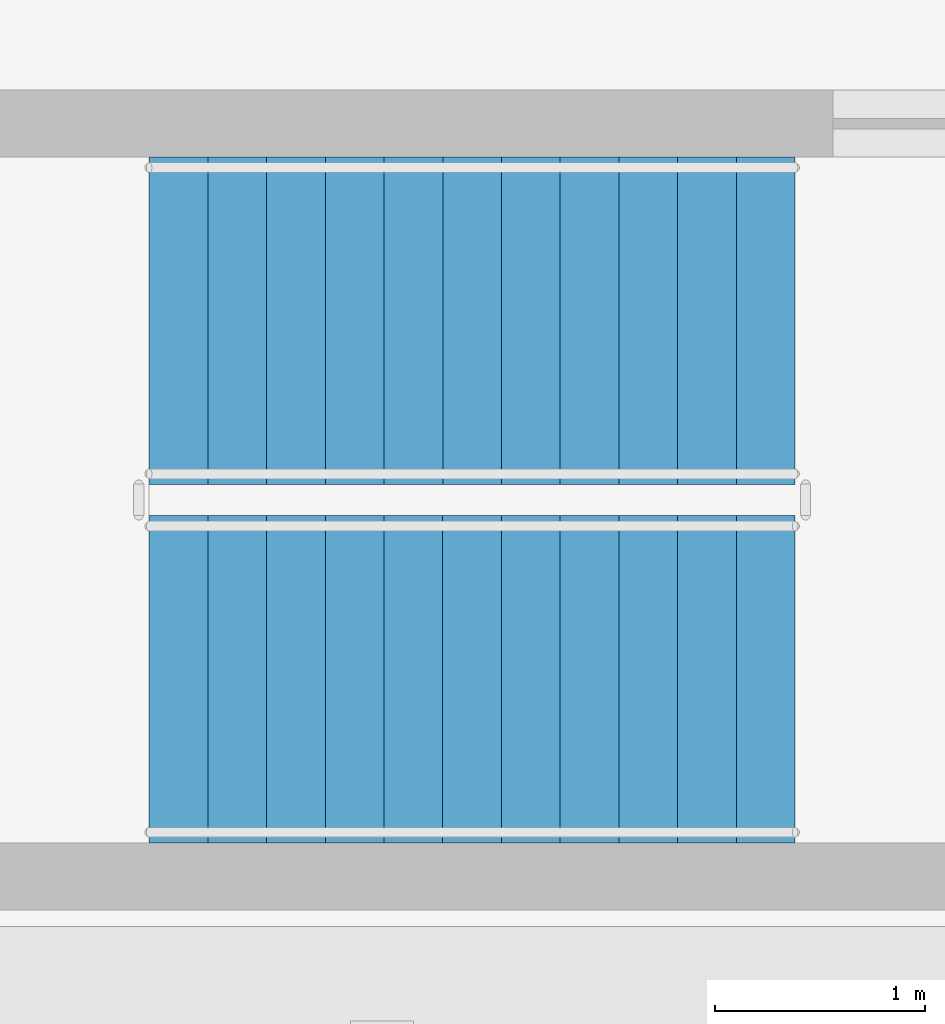
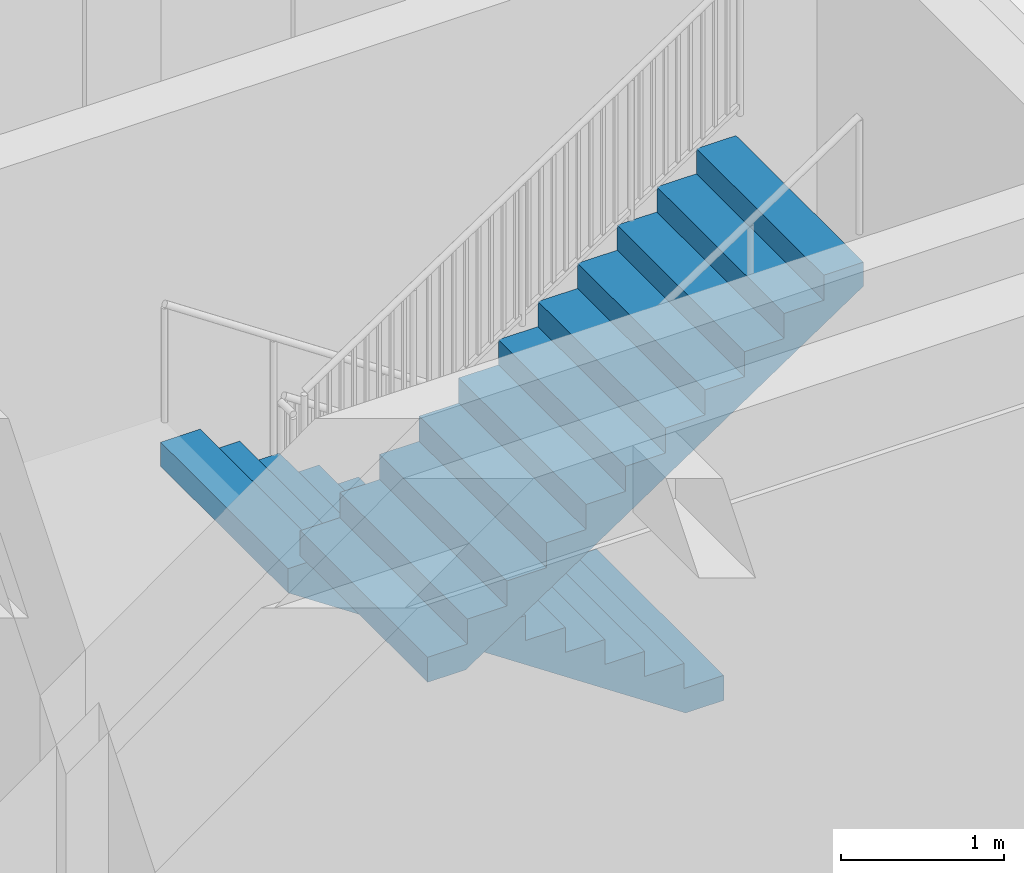
# One storey, part 41 of 49: 2 stair flights, 1 element without a shape of its own.
"""IFC4 building model written with IfcOpenShell, lengths in metres."""

from ifc_helpers import new_model, si_unit, direction, frame, origin, place, context, subcontext, project, spatial, polygons, material, type_object, element, aggregate, save


model = new_model("IFC4")

# Units and contexts
model_context = context("Model", 3, precision=1e-05, world=origin(), true_north=direction((0.0, 1.0)))
body_context = subcontext(model_context, "Body", "Model", "MODEL_VIEW")
ifc_project = project(units=[si_unit("LENGTHUNIT", "METRE"), si_unit("AREAUNIT", "SQUARE_METRE"), si_unit("VOLUMEUNIT", "CUBIC_METRE"), si_unit("PLANEANGLEUNIT", "RADIAN"), si_unit("MASSUNIT", "GRAM", prefix="KILO")], contexts=[model_context])

# Site, building, storey
site_placement = place(None, origin())
site = spatial("IfcSite", under=ifc_project, at=site_placement, CompositionType="ELEMENT")
building_placement = place(site_placement, origin())
building = spatial("IfcBuilding", under=site, at=building_placement, Name="Zantavel Square City Hall", CompositionType="ELEMENT")
storey_placement = place(building_placement, frame((0.0, 0.0, -4.5)))
storey = spatial("IfcBuildingStorey", under=building, at=storey_placement, Name="B1", CompositionType="ELEMENT", Elevation=-4.5)

# Stair, stair flights
ifc_material = material(Name="Concrete C35/45", Category="concrete")
stair_type = type_object("IfcStairType", Name="Enclosed Core Dogleg Stair B1 H4500", PredefinedType="HALF_TURN_STAIR", material=ifc_material)
stair_placement = place(storey_placement, origin())
stair = element("IfcStair", 1, at=stair_placement, inside=storey, type_object=stair_type, Name="B1 Exit Stair 4 East Annex Core", PredefinedType="HALF_TURN_STAIR")
stair_flight_type = type_object("IfcStairFlightType", Name="Enclosed Core Stair Flight B1 W1560", PredefinedType="STRAIGHT", material=ifc_material)
stair_flight_1_placement = place(storey_placement, frame((117.969970703125, 41.139892578125, 0.0), z_axis=(0.0, 0.0, 1.0), x_axis=(-1.0, 0.0, 0.0)))
stair_flight_1 = element("IfcStairFlight", 2, at=stair_flight_1_placement, type_object=stair_flight_type, Name="ST4 flight 1", NumberOfRisers=12, NumberOfTreads=11, PredefinedType="STRAIGHT", RiserHeight=0.1875, TreadLength=0.28, context=body_context, shape_type="Tessellation", body=[
    polygons([(0.26953125, -0.780029296875, 0.0), (3.080078125, -0.780029296875, 1.882080078125), (3.080078125, -0.780029296875, 2.0625), (2.800048828125, -0.780029296875, 2.0625), (2.800048828125, -0.780029296875, 1.875), (2.52001953125, -0.780029296875, 1.875), (2.52001953125, -0.780029296875, 1.6875), (2.239990234375, -0.780029296875, 1.6875), (2.239990234375, -0.780029296875, 1.5), (1.9599609375, -0.780029296875, 1.5), (1.9599609375, -0.780029296875, 1.3125), (1.679931640625, -0.780029296875, 1.3125), (1.679931640625, -0.780029296875, 1.125), (1.39990234375, -0.780029296875, 1.125), (1.39990234375, -0.780029296875, 0.9375), (1.1201171875, -0.780029296875, 0.9375), (1.1201171875, -0.780029296875, 0.75), (0.840087890625, -0.780029296875, 0.75), (0.840087890625, -0.780029296875, 0.5625), (0.56005859375, -0.780029296875, 0.5625), (0.56005859375, -0.780029296875, 0.375), (0.280029296875, -0.780029296875, 0.375), (0.280029296875, -0.780029296875, 0.1875), (0.0, -0.780029296875, 0.1875), (0.0, -0.780029296875, 0.0), (0.26953125, -0.5849609375, 0.0), (3.080078125, -0.5849609375, 1.882080078125), (3.080078125, -0.5849609375, 2.0625), (2.800048828125, -0.5849609375, 2.0625), (2.800048828125, -0.5849609375, 1.875), (2.52001953125, -0.5849609375, 1.875), (2.52001953125, -0.5849609375, 1.6875), (2.239990234375, -0.5849609375, 1.6875), (2.239990234375, -0.5849609375, 1.5), (1.9599609375, -0.5849609375, 1.5), (1.9599609375, -0.5849609375, 1.3125), (1.679931640625, -0.5849609375, 1.3125), (1.679931640625, -0.5849609375, 1.125), (1.39990234375, -0.5849609375, 1.125), (1.39990234375, -0.5849609375, 0.9375), (1.1201171875, -0.5849609375, 0.9375), (1.1201171875, -0.5849609375, 0.75), (0.840087890625, -0.5849609375, 0.75), (0.840087890625, -0.5849609375, 0.5625), (0.56005859375, -0.5849609375, 0.5625), (0.56005859375, -0.5849609375, 0.375), (0.280029296875, -0.5849609375, 0.375), (0.280029296875, -0.5849609375, 0.1875), (0.0, -0.5849609375, 0.1875), (0.0, -0.5849609375, 0.0), (0.26953125, -0.39013671875, 0.0), (3.080078125, -0.39013671875, 1.882080078125), (3.080078125, -0.39013671875, 2.0625), (2.800048828125, -0.39013671875, 2.0625), (2.800048828125, -0.39013671875, 1.875), (2.52001953125, -0.39013671875, 1.875), (2.52001953125, -0.39013671875, 1.6875), (2.239990234375, -0.39013671875, 1.6875), (2.239990234375, -0.39013671875, 1.5), (1.9599609375, -0.39013671875, 1.5), (1.9599609375, -0.39013671875, 1.3125), (1.679931640625, -0.39013671875, 1.3125), (1.679931640625, -0.39013671875, 1.125), (1.39990234375, -0.39013671875, 1.125), (1.39990234375, -0.39013671875, 0.9375), (1.1201171875, -0.39013671875, 0.9375), (1.1201171875, -0.39013671875, 0.75), (0.840087890625, -0.39013671875, 0.75), (0.840087890625, -0.39013671875, 0.5625), (0.56005859375, -0.39013671875, 0.5625), (0.56005859375, -0.39013671875, 0.375), (0.280029296875, -0.39013671875, 0.375), (0.280029296875, -0.39013671875, 0.1875), (0.0, -0.39013671875, 0.1875), (0.0, -0.39013671875, 0.0), (0.26953125, -0.195068359375, 0.0), (3.080078125, -0.195068359375, 1.882080078125), (3.080078125, -0.195068359375, 2.0625), (2.800048828125, -0.195068359375, 2.0625), (2.800048828125, -0.195068359375, 1.875), (2.52001953125, -0.195068359375, 1.875), (2.52001953125, -0.195068359375, 1.6875), (2.239990234375, -0.195068359375, 1.6875), (2.239990234375, -0.195068359375, 1.5), (1.9599609375, -0.195068359375, 1.5), (1.9599609375, -0.195068359375, 1.3125), (1.679931640625, -0.195068359375, 1.3125), (1.679931640625, -0.195068359375, 1.125), (1.39990234375, -0.195068359375, 1.125), (1.39990234375, -0.195068359375, 0.9375), (1.1201171875, -0.195068359375, 0.9375), (1.1201171875, -0.195068359375, 0.75), (0.840087890625, -0.195068359375, 0.75), (0.840087890625, -0.195068359375, 0.5625), (0.56005859375, -0.195068359375, 0.5625), (0.56005859375, -0.195068359375, 0.375), (0.280029296875, -0.195068359375, 0.375), (0.280029296875, -0.195068359375, 0.1875), (0.0, -0.195068359375, 0.1875), (0.0, -0.195068359375, 0.0), (0.26953125, 0.0, 0.0), (3.080078125, 0.0, 1.882080078125), (3.080078125, 0.0, 2.0625), (2.800048828125, 0.0, 2.0625), (2.800048828125, 0.0, 1.875), (2.52001953125, 0.0, 1.875), (2.52001953125, 0.0, 1.6875), (2.239990234375, 0.0, 1.6875), (2.239990234375, 0.0, 1.5), (1.9599609375, 0.0, 1.5), (1.9599609375, 0.0, 1.3125), (1.679931640625, 0.0, 1.3125), (1.679931640625, 0.0, 1.125), (1.39990234375, 0.0, 1.125), (1.39990234375, 0.0, 0.9375), (1.1201171875, 0.0, 0.9375), (1.1201171875, 0.0, 0.75), (0.840087890625, 0.0, 0.75), (0.840087890625, 0.0, 0.5625), (0.56005859375, 0.0, 0.5625), (0.56005859375, 0.0, 0.375), (0.280029296875, 0.0, 0.375), (0.280029296875, 0.0, 0.1875), (0.0, 0.0, 0.1875), (0.0, 0.0, 0.0), (0.26953125, 0.195068359375, 0.0), (3.080078125, 0.195068359375, 1.882080078125), (3.080078125, 0.195068359375, 2.0625), (2.800048828125, 0.195068359375, 2.0625), (2.800048828125, 0.195068359375, 1.875), (2.52001953125, 0.195068359375, 1.875), (2.52001953125, 0.195068359375, 1.6875), (2.239990234375, 0.195068359375, 1.6875), (2.239990234375, 0.195068359375, 1.5), (1.9599609375, 0.195068359375, 1.5), (1.9599609375, 0.195068359375, 1.3125), (1.679931640625, 0.195068359375, 1.3125), (1.679931640625, 0.195068359375, 1.125), (1.39990234375, 0.195068359375, 1.125), (1.39990234375, 0.195068359375, 0.9375), (1.1201171875, 0.195068359375, 0.9375), (1.1201171875, 0.195068359375, 0.75), (0.840087890625, 0.195068359375, 0.75), (0.840087890625, 0.195068359375, 0.5625), (0.56005859375, 0.195068359375, 0.5625), (0.56005859375, 0.195068359375, 0.375), (0.280029296875, 0.195068359375, 0.375), (0.280029296875, 0.195068359375, 0.1875), (0.0, 0.195068359375, 0.1875), (0.0, 0.195068359375, 0.0), (0.26953125, 0.39013671875, 0.0), (3.080078125, 0.39013671875, 1.882080078125), (3.080078125, 0.39013671875, 2.0625), (2.800048828125, 0.39013671875, 2.0625), (2.800048828125, 0.39013671875, 1.875), (2.52001953125, 0.39013671875, 1.875), (2.52001953125, 0.39013671875, 1.6875), (2.239990234375, 0.39013671875, 1.6875), (2.239990234375, 0.39013671875, 1.5), (1.9599609375, 0.39013671875, 1.5), (1.9599609375, 0.39013671875, 1.3125), (1.679931640625, 0.39013671875, 1.3125), (1.679931640625, 0.39013671875, 1.125), (1.39990234375, 0.39013671875, 1.125), (1.39990234375, 0.39013671875, 0.9375), (1.1201171875, 0.39013671875, 0.9375), (1.1201171875, 0.39013671875, 0.75), (0.840087890625, 0.39013671875, 0.75), (0.840087890625, 0.39013671875, 0.5625), (0.56005859375, 0.39013671875, 0.5625), (0.56005859375, 0.39013671875, 0.375), (0.280029296875, 0.39013671875, 0.375), (0.280029296875, 0.39013671875, 0.1875), (0.0, 0.39013671875, 0.1875), (0.0, 0.39013671875, 0.0), (0.26953125, 0.5849609375, 0.0), (3.080078125, 0.5849609375, 1.882080078125), (3.080078125, 0.5849609375, 2.0625), (2.800048828125, 0.5849609375, 2.0625), (2.800048828125, 0.5849609375, 1.875), (2.52001953125, 0.5849609375, 1.875), (2.52001953125, 0.5849609375, 1.6875), (2.239990234375, 0.5849609375, 1.6875), (2.239990234375, 0.5849609375, 1.5), (1.9599609375, 0.5849609375, 1.5), (1.9599609375, 0.5849609375, 1.3125), (1.679931640625, 0.5849609375, 1.3125), (1.679931640625, 0.5849609375, 1.125), (1.39990234375, 0.5849609375, 1.125), (1.39990234375, 0.5849609375, 0.9375), (1.1201171875, 0.5849609375, 0.9375), (1.1201171875, 0.5849609375, 0.75), (0.840087890625, 0.5849609375, 0.75), (0.840087890625, 0.5849609375, 0.5625), (0.56005859375, 0.5849609375, 0.5625), (0.56005859375, 0.5849609375, 0.375), (0.280029296875, 0.5849609375, 0.375), (0.280029296875, 0.5849609375, 0.1875), (0.0, 0.5849609375, 0.1875), (0.0, 0.5849609375, 0.0), (0.26953125, 0.780029296875, 0.0), (3.080078125, 0.780029296875, 1.882080078125), (3.080078125, 0.780029296875, 2.0625), (2.800048828125, 0.780029296875, 2.0625), (2.800048828125, 0.780029296875, 1.875), (2.52001953125, 0.780029296875, 1.875), (2.52001953125, 0.780029296875, 1.6875), (2.239990234375, 0.780029296875, 1.6875), (2.239990234375, 0.780029296875, 1.5), (1.9599609375, 0.780029296875, 1.5), (1.9599609375, 0.780029296875, 1.3125), (1.679931640625, 0.780029296875, 1.3125), (1.679931640625, 0.780029296875, 1.125), (1.39990234375, 0.780029296875, 1.125), (1.39990234375, 0.780029296875, 0.9375), (1.1201171875, 0.780029296875, 0.9375), (1.1201171875, 0.780029296875, 0.75), (0.840087890625, 0.780029296875, 0.75), (0.840087890625, 0.780029296875, 0.5625), (0.56005859375, 0.780029296875, 0.5625), (0.56005859375, 0.780029296875, 0.375), (0.280029296875, 0.780029296875, 0.375), (0.280029296875, 0.780029296875, 0.1875), (0.0, 0.780029296875, 0.1875), (0.0, 0.780029296875, 0.0)], [[[1, 2, 3, 4, 5, 6, 7, 8, 9, 10, 11, 12, 13, 14, 15, 16, 17, 18, 19, 20, 21, 22, 23, 24, 25]], [[225, 224, 223, 222, 221, 220, 219, 218, 217, 216, 215, 214, 213, 212, 211, 210, 209, 208, 207, 206, 205, 204, 203, 202, 201]], [[1, 26, 27]], [[1, 27, 2]], [[2, 27, 28]], [[2, 28, 3]], [[3, 28, 29]], [[3, 29, 4]], [[4, 29, 30]], [[4, 30, 5]], [[5, 30, 31]], [[5, 31, 6]], [[6, 31, 32]], [[6, 32, 7]], [[7, 32, 33]], [[7, 33, 8]], [[8, 33, 34]], [[8, 34, 9]], [[9, 34, 35]], [[9, 35, 10]], [[10, 35, 36]], [[10, 36, 11]], [[11, 36, 37]], [[11, 37, 12]], [[12, 37, 38]], [[12, 38, 13]], [[13, 38, 39]], [[13, 39, 14]], [[14, 39, 40]], [[14, 40, 15]], [[15, 40, 41]], [[15, 41, 16]], [[16, 41, 42]], [[16, 42, 17]], [[17, 42, 43]], [[17, 43, 18]], [[18, 43, 44]], [[18, 44, 19]], [[19, 44, 45]], [[19, 45, 20]], [[20, 45, 46]], [[20, 46, 21]], [[21, 46, 47]], [[21, 47, 22]], [[22, 47, 48]], [[22, 48, 23]], [[23, 48, 49]], [[23, 49, 24]], [[24, 49, 50]], [[24, 50, 25]], [[25, 50, 26]], [[25, 26, 1]], [[26, 51, 52]], [[26, 52, 27]], [[27, 52, 53]], [[27, 53, 28]], [[28, 53, 54]], [[28, 54, 29]], [[29, 54, 55]], [[29, 55, 30]], [[30, 55, 56]], [[30, 56, 31]], [[31, 56, 57]], [[31, 57, 32]], [[32, 57, 58]], [[32, 58, 33]], [[33, 58, 59]], [[33, 59, 34]], [[34, 59, 60]], [[34, 60, 35]], [[35, 60, 61]], [[35, 61, 36]], [[36, 61, 62]], [[36, 62, 37]], [[37, 62, 63]], [[37, 63, 38]], [[38, 63, 64]], [[38, 64, 39]], [[39, 64, 65]], [[39, 65, 40]], [[40, 65, 66]], [[40, 66, 41]], [[41, 66, 67]], [[41, 67, 42]], [[42, 67, 68]], [[42, 68, 43]], [[43, 68, 69]], [[43, 69, 44]], [[44, 69, 70]], [[44, 70, 45]], [[45, 70, 71]], [[45, 71, 46]], [[46, 71, 72]], [[46, 72, 47]], [[47, 72, 73]], [[47, 73, 48]], [[48, 73, 74]], [[48, 74, 49]], [[49, 74, 75]], [[49, 75, 50]], [[50, 75, 51]], [[50, 51, 26]], [[51, 76, 77]], [[51, 77, 52]], [[52, 77, 78]], [[52, 78, 53]], [[53, 78, 79]], [[53, 79, 54]], [[54, 79, 80]], [[54, 80, 55]], [[55, 80, 81]], [[55, 81, 56]], [[56, 81, 82]], [[56, 82, 57]], [[57, 82, 83]], [[57, 83, 58]], [[58, 83, 84]], [[58, 84, 59]], [[59, 84, 85]], [[59, 85, 60]], [[60, 85, 86]], [[60, 86, 61]], [[61, 86, 87]], [[61, 87, 62]], [[62, 87, 88]], [[62, 88, 63]], [[63, 88, 89]], [[63, 89, 64]], [[64, 89, 90]], [[64, 90, 65]], [[65, 90, 91]], [[65, 91, 66]], [[66, 91, 92]], [[66, 92, 67]], [[67, 92, 93]], [[67, 93, 68]], [[68, 93, 94]], [[68, 94, 69]], [[69, 94, 95]], [[69, 95, 70]], [[70, 95, 96]], [[70, 96, 71]], [[71, 96, 97]], [[71, 97, 72]], [[72, 97, 98]], [[72, 98, 73]], [[73, 98, 99]], [[73, 99, 74]], [[74, 99, 100]], [[74, 100, 75]], [[75, 100, 76]], [[75, 76, 51]], [[76, 101, 102]], [[76, 102, 77]], [[77, 102, 103]], [[77, 103, 78]], [[78, 103, 104]], [[78, 104, 79]], [[79, 104, 105]], [[79, 105, 80]], [[80, 105, 106]], [[80, 106, 81]], [[81, 106, 107]], [[81, 107, 82]], [[82, 107, 108]], [[82, 108, 83]], [[83, 108, 109]], [[83, 109, 84]], [[84, 109, 110]], [[84, 110, 85]], [[85, 110, 111]], [[85, 111, 86]], [[86, 111, 112]], [[86, 112, 87]], [[87, 112, 113]], [[87, 113, 88]], [[88, 113, 114]], [[88, 114, 89]], [[89, 114, 115]], [[89, 115, 90]], [[90, 115, 116]], [[90, 116, 91]], [[91, 116, 117]], [[91, 117, 92]], [[92, 117, 118]], [[92, 118, 93]], [[93, 118, 119]], [[93, 119, 94]], [[94, 119, 120]], [[94, 120, 95]], [[95, 120, 121]], [[95, 121, 96]], [[96, 121, 122]], [[96, 122, 97]], [[97, 122, 123]], [[97, 123, 98]], [[98, 123, 124]], [[98, 124, 99]], [[99, 124, 125]], [[99, 125, 100]], [[100, 125, 101]], [[100, 101, 76]], [[101, 126, 102]], [[126, 127, 102]], [[102, 127, 103]], [[127, 128, 103]], [[103, 128, 104]], [[128, 129, 104]], [[104, 129, 105]], [[129, 130, 105]], [[105, 130, 106]], [[130, 131, 106]], [[106, 131, 107]], [[131, 132, 107]], [[107, 132, 108]], [[132, 133, 108]], [[108, 133, 109]], [[133, 134, 109]], [[109, 134, 110]], [[134, 135, 110]], [[110, 135, 111]], [[135, 136, 111]], [[111, 136, 112]], [[136, 137, 112]], [[112, 137, 113]], [[137, 138, 113]], [[113, 138, 114]], [[138, 139, 114]], [[114, 139, 115]], [[139, 140, 115]], [[115, 140, 116]], [[140, 141, 116]], [[116, 141, 117]], [[141, 142, 117]], [[117, 142, 118]], [[142, 143, 118]], [[118, 143, 119]], [[143, 144, 119]], [[119, 144, 120]], [[144, 145, 120]], [[120, 145, 121]], [[145, 146, 121]], [[121, 146, 122]], [[146, 147, 122]], [[122, 147, 123]], [[147, 148, 123]], [[123, 148, 124]], [[148, 149, 124]], [[124, 149, 125]], [[149, 150, 125]], [[125, 150, 101]], [[150, 126, 101]], [[126, 151, 127]], [[151, 152, 127]], [[127, 152, 128]], [[152, 153, 128]], [[128, 153, 129]], [[153, 154, 129]], [[129, 154, 130]], [[154, 155, 130]], [[130, 155, 131]], [[155, 156, 131]], [[131, 156, 132]], [[156, 157, 132]], [[132, 157, 133]], [[157, 158, 133]], [[133, 158, 134]], [[158, 159, 134]], [[134, 159, 135]], [[159, 160, 135]], [[135, 160, 136]], [[160, 161, 136]], [[136, 161, 137]], [[161, 162, 137]], [[137, 162, 138]], [[162, 163, 138]], [[138, 163, 139]], [[163, 164, 139]], [[139, 164, 140]], [[164, 165, 140]], [[140, 165, 141]], [[165, 166, 141]], [[141, 166, 142]], [[166, 167, 142]], [[142, 167, 143]], [[167, 168, 143]], [[143, 168, 144]], [[168, 169, 144]], [[144, 169, 145]], [[169, 170, 145]], [[145, 170, 146]], [[170, 171, 146]], [[146, 171, 147]], [[171, 172, 147]], [[147, 172, 148]], [[172, 173, 148]], [[148, 173, 149]], [[173, 174, 149]], [[149, 174, 150]], [[174, 175, 150]], [[150, 175, 126]], [[175, 151, 126]], [[151, 176, 152]], [[176, 177, 152]], [[152, 177, 153]], [[177, 178, 153]], [[153, 178, 154]], [[178, 179, 154]], [[154, 179, 155]], [[179, 180, 155]], [[155, 180, 156]], [[180, 181, 156]], [[156, 181, 157]], [[181, 182, 157]], [[157, 182, 158]], [[182, 183, 158]], [[158, 183, 159]], [[183, 184, 159]], [[159, 184, 160]], [[184, 185, 160]], [[160, 185, 161]], [[185, 186, 161]], [[161, 186, 162]], [[186, 187, 162]], [[162, 187, 163]], [[187, 188, 163]], [[163, 188, 164]], [[188, 189, 164]], [[164, 189, 165]], [[189, 190, 165]], [[165, 190, 166]], [[190, 191, 166]], [[166, 191, 167]], [[191, 192, 167]], [[167, 192, 168]], [[192, 193, 168]], [[168, 193, 169]], [[193, 194, 169]], [[169, 194, 170]], [[194, 195, 170]], [[170, 195, 171]], [[195, 196, 171]], [[171, 196, 172]], [[196, 197, 172]], [[172, 197, 173]], [[197, 198, 173]], [[173, 198, 174]], [[198, 199, 174]], [[174, 199, 175]], [[199, 200, 175]], [[175, 200, 151]], [[200, 176, 151]], [[176, 201, 177]], [[201, 202, 177]], [[177, 202, 178]], [[202, 203, 178]], [[178, 203, 179]], [[203, 204, 179]], [[179, 204, 180]], [[204, 205, 180]], [[180, 205, 181]], [[205, 206, 181]], [[181, 206, 182]], [[206, 207, 182]], [[182, 207, 183]], [[207, 208, 183]], [[183, 208, 184]], [[208, 209, 184]], [[184, 209, 185]], [[209, 210, 185]], [[185, 210, 186]], [[210, 211, 186]], [[186, 211, 187]], [[211, 212, 187]], [[187, 212, 188]], [[212, 213, 188]], [[188, 213, 189]], [[213, 214, 189]], [[189, 214, 190]], [[214, 215, 190]], [[190, 215, 191]], [[215, 216, 191]], [[191, 216, 192]], [[216, 217, 192]], [[192, 217, 193]], [[217, 218, 193]], [[193, 218, 194]], [[218, 219, 194]], [[194, 219, 195]], [[219, 220, 195]], [[195, 220, 196]], [[220, 221, 196]], [[196, 221, 197]], [[221, 222, 197]], [[197, 222, 198]], [[222, 223, 198]], [[198, 223, 199]], [[223, 224, 199]], [[199, 224, 200]], [[224, 225, 200]], [[200, 225, 176]], [[225, 201, 176]]], closed=True),
])
stair_flight_2_placement = place(storey_placement, frame((114.889892578125, 39.429931640625, 2.25), z_axis=(0.0, 0.0, 1.0), x_axis=(1.0, 0.0, 0.0)))
stair_flight_2 = element("IfcStairFlight", 3, at=stair_flight_2_placement, type_object=stair_flight_type, Name="ST4 flight 2", NumberOfRisers=12, NumberOfTreads=11, PredefinedType="STRAIGHT", RiserHeight=0.1875, TreadLength=0.28, context=body_context, shape_type="Tessellation", body=[
    polygons([(0.26953125, -0.780029296875, 0.0), (3.080078125, -0.780029296875, 1.882080078125), (3.080078125, -0.780029296875, 2.0625), (2.800048828125, -0.780029296875, 2.0625), (2.800048828125, -0.780029296875, 1.875), (2.52001953125, -0.780029296875, 1.875), (2.52001953125, -0.780029296875, 1.6875), (2.239990234375, -0.780029296875, 1.6875), (2.239990234375, -0.780029296875, 1.5), (1.9599609375, -0.780029296875, 1.5), (1.9599609375, -0.780029296875, 1.3125), (1.679931640625, -0.780029296875, 1.3125), (1.679931640625, -0.780029296875, 1.125), (1.39990234375, -0.780029296875, 1.125), (1.39990234375, -0.780029296875, 0.9375), (1.1201171875, -0.780029296875, 0.9375), (1.1201171875, -0.780029296875, 0.75), (0.840087890625, -0.780029296875, 0.75), (0.840087890625, -0.780029296875, 0.5625), (0.56005859375, -0.780029296875, 0.5625), (0.56005859375, -0.780029296875, 0.375), (0.280029296875, -0.780029296875, 0.375), (0.280029296875, -0.780029296875, 0.1875), (0.0, -0.780029296875, 0.1875), (0.0, -0.780029296875, 0.0), (0.26953125, -0.5849609375, 0.0), (3.080078125, -0.5849609375, 1.882080078125), (3.080078125, -0.5849609375, 2.0625), (2.800048828125, -0.5849609375, 2.0625), (2.800048828125, -0.5849609375, 1.875), (2.52001953125, -0.5849609375, 1.875), (2.52001953125, -0.5849609375, 1.6875), (2.239990234375, -0.5849609375, 1.6875), (2.239990234375, -0.5849609375, 1.5), (1.9599609375, -0.5849609375, 1.5), (1.9599609375, -0.5849609375, 1.3125), (1.679931640625, -0.5849609375, 1.3125), (1.679931640625, -0.5849609375, 1.125), (1.39990234375, -0.5849609375, 1.125), (1.39990234375, -0.5849609375, 0.9375), (1.1201171875, -0.5849609375, 0.9375), (1.1201171875, -0.5849609375, 0.75), (0.840087890625, -0.5849609375, 0.75), (0.840087890625, -0.5849609375, 0.5625), (0.56005859375, -0.5849609375, 0.5625), (0.56005859375, -0.5849609375, 0.375), (0.280029296875, -0.5849609375, 0.375), (0.280029296875, -0.5849609375, 0.1875), (0.0, -0.5849609375, 0.1875), (0.0, -0.5849609375, 0.0), (0.26953125, -0.39013671875, 0.0), (3.080078125, -0.39013671875, 1.882080078125), (3.080078125, -0.39013671875, 2.0625), (2.800048828125, -0.39013671875, 2.0625), (2.800048828125, -0.39013671875, 1.875), (2.52001953125, -0.39013671875, 1.875), (2.52001953125, -0.39013671875, 1.6875), (2.239990234375, -0.39013671875, 1.6875), (2.239990234375, -0.39013671875, 1.5), (1.9599609375, -0.39013671875, 1.5), (1.9599609375, -0.39013671875, 1.3125), (1.679931640625, -0.39013671875, 1.3125), (1.679931640625, -0.39013671875, 1.125), (1.39990234375, -0.39013671875, 1.125), (1.39990234375, -0.39013671875, 0.9375), (1.1201171875, -0.39013671875, 0.9375), (1.1201171875, -0.39013671875, 0.75), (0.840087890625, -0.39013671875, 0.75), (0.840087890625, -0.39013671875, 0.5625), (0.56005859375, -0.39013671875, 0.5625), (0.56005859375, -0.39013671875, 0.375), (0.280029296875, -0.39013671875, 0.375), (0.280029296875, -0.39013671875, 0.1875), (0.0, -0.39013671875, 0.1875), (0.0, -0.39013671875, 0.0), (0.26953125, -0.195068359375, 0.0), (3.080078125, -0.195068359375, 1.882080078125), (3.080078125, -0.195068359375, 2.0625), (2.800048828125, -0.195068359375, 2.0625), (2.800048828125, -0.195068359375, 1.875), (2.52001953125, -0.195068359375, 1.875), (2.52001953125, -0.195068359375, 1.6875), (2.239990234375, -0.195068359375, 1.6875), (2.239990234375, -0.195068359375, 1.5), (1.9599609375, -0.195068359375, 1.5), (1.9599609375, -0.195068359375, 1.3125), (1.679931640625, -0.195068359375, 1.3125), (1.679931640625, -0.195068359375, 1.125), (1.39990234375, -0.195068359375, 1.125), (1.39990234375, -0.195068359375, 0.9375), (1.1201171875, -0.195068359375, 0.9375), (1.1201171875, -0.195068359375, 0.75), (0.840087890625, -0.195068359375, 0.75), (0.840087890625, -0.195068359375, 0.5625), (0.56005859375, -0.195068359375, 0.5625), (0.56005859375, -0.195068359375, 0.375), (0.280029296875, -0.195068359375, 0.375), (0.280029296875, -0.195068359375, 0.1875), (0.0, -0.195068359375, 0.1875), (0.0, -0.195068359375, 0.0), (0.26953125, 0.0, 0.0), (3.080078125, 0.0, 1.882080078125), (3.080078125, 0.0, 2.0625), (2.800048828125, 0.0, 2.0625), (2.800048828125, 0.0, 1.875), (2.52001953125, 0.0, 1.875), (2.52001953125, 0.0, 1.6875), (2.239990234375, 0.0, 1.6875), (2.239990234375, 0.0, 1.5), (1.9599609375, 0.0, 1.5), (1.9599609375, 0.0, 1.3125), (1.679931640625, 0.0, 1.3125), (1.679931640625, 0.0, 1.125), (1.39990234375, 0.0, 1.125), (1.39990234375, 0.0, 0.9375), (1.1201171875, 0.0, 0.9375), (1.1201171875, 0.0, 0.75), (0.840087890625, 0.0, 0.75), (0.840087890625, 0.0, 0.5625), (0.56005859375, 0.0, 0.5625), (0.56005859375, 0.0, 0.375), (0.280029296875, 0.0, 0.375), (0.280029296875, 0.0, 0.1875), (0.0, 0.0, 0.1875), (0.0, 0.0, 0.0), (0.26953125, 0.195068359375, 0.0), (3.080078125, 0.195068359375, 1.882080078125), (3.080078125, 0.195068359375, 2.0625), (2.800048828125, 0.195068359375, 2.0625), (2.800048828125, 0.195068359375, 1.875), (2.52001953125, 0.195068359375, 1.875), (2.52001953125, 0.195068359375, 1.6875), (2.239990234375, 0.195068359375, 1.6875), (2.239990234375, 0.195068359375, 1.5), (1.9599609375, 0.195068359375, 1.5), (1.9599609375, 0.195068359375, 1.3125), (1.679931640625, 0.195068359375, 1.3125), (1.679931640625, 0.195068359375, 1.125), (1.39990234375, 0.195068359375, 1.125), (1.39990234375, 0.195068359375, 0.9375), (1.1201171875, 0.195068359375, 0.9375), (1.1201171875, 0.195068359375, 0.75), (0.840087890625, 0.195068359375, 0.75), (0.840087890625, 0.195068359375, 0.5625), (0.56005859375, 0.195068359375, 0.5625), (0.56005859375, 0.195068359375, 0.375), (0.280029296875, 0.195068359375, 0.375), (0.280029296875, 0.195068359375, 0.1875), (0.0, 0.195068359375, 0.1875), (0.0, 0.195068359375, 0.0), (0.26953125, 0.39013671875, 0.0), (3.080078125, 0.39013671875, 1.882080078125), (3.080078125, 0.39013671875, 2.0625), (2.800048828125, 0.39013671875, 2.0625), (2.800048828125, 0.39013671875, 1.875), (2.52001953125, 0.39013671875, 1.875), (2.52001953125, 0.39013671875, 1.6875), (2.239990234375, 0.39013671875, 1.6875), (2.239990234375, 0.39013671875, 1.5), (1.9599609375, 0.39013671875, 1.5), (1.9599609375, 0.39013671875, 1.3125), (1.679931640625, 0.39013671875, 1.3125), (1.679931640625, 0.39013671875, 1.125), (1.39990234375, 0.39013671875, 1.125), (1.39990234375, 0.39013671875, 0.9375), (1.1201171875, 0.39013671875, 0.9375), (1.1201171875, 0.39013671875, 0.75), (0.840087890625, 0.39013671875, 0.75), (0.840087890625, 0.39013671875, 0.5625), (0.56005859375, 0.39013671875, 0.5625), (0.56005859375, 0.39013671875, 0.375), (0.280029296875, 0.39013671875, 0.375), (0.280029296875, 0.39013671875, 0.1875), (0.0, 0.39013671875, 0.1875), (0.0, 0.39013671875, 0.0), (0.26953125, 0.5849609375, 0.0), (3.080078125, 0.5849609375, 1.882080078125), (3.080078125, 0.5849609375, 2.0625), (2.800048828125, 0.5849609375, 2.0625), (2.800048828125, 0.5849609375, 1.875), (2.52001953125, 0.5849609375, 1.875), (2.52001953125, 0.5849609375, 1.6875), (2.239990234375, 0.5849609375, 1.6875), (2.239990234375, 0.5849609375, 1.5), (1.9599609375, 0.5849609375, 1.5), (1.9599609375, 0.5849609375, 1.3125), (1.679931640625, 0.5849609375, 1.3125), (1.679931640625, 0.5849609375, 1.125), (1.39990234375, 0.5849609375, 1.125), (1.39990234375, 0.5849609375, 0.9375), (1.1201171875, 0.5849609375, 0.9375), (1.1201171875, 0.5849609375, 0.75), (0.840087890625, 0.5849609375, 0.75), (0.840087890625, 0.5849609375, 0.5625), (0.56005859375, 0.5849609375, 0.5625), (0.56005859375, 0.5849609375, 0.375), (0.280029296875, 0.5849609375, 0.375), (0.280029296875, 0.5849609375, 0.1875), (0.0, 0.5849609375, 0.1875), (0.0, 0.5849609375, 0.0), (0.26953125, 0.780029296875, 0.0), (3.080078125, 0.780029296875, 1.882080078125), (3.080078125, 0.780029296875, 2.0625), (2.800048828125, 0.780029296875, 2.0625), (2.800048828125, 0.780029296875, 1.875), (2.52001953125, 0.780029296875, 1.875), (2.52001953125, 0.780029296875, 1.6875), (2.239990234375, 0.780029296875, 1.6875), (2.239990234375, 0.780029296875, 1.5), (1.9599609375, 0.780029296875, 1.5), (1.9599609375, 0.780029296875, 1.3125), (1.679931640625, 0.780029296875, 1.3125), (1.679931640625, 0.780029296875, 1.125), (1.39990234375, 0.780029296875, 1.125), (1.39990234375, 0.780029296875, 0.9375), (1.1201171875, 0.780029296875, 0.9375), (1.1201171875, 0.780029296875, 0.75), (0.840087890625, 0.780029296875, 0.75), (0.840087890625, 0.780029296875, 0.5625), (0.56005859375, 0.780029296875, 0.5625), (0.56005859375, 0.780029296875, 0.375), (0.280029296875, 0.780029296875, 0.375), (0.280029296875, 0.780029296875, 0.1875), (0.0, 0.780029296875, 0.1875), (0.0, 0.780029296875, 0.0)], [[[1, 2, 3, 4, 5, 6, 7, 8, 9, 10, 11, 12, 13, 14, 15, 16, 17, 18, 19, 20, 21, 22, 23, 24, 25]], [[225, 224, 223, 222, 221, 220, 219, 218, 217, 216, 215, 214, 213, 212, 211, 210, 209, 208, 207, 206, 205, 204, 203, 202, 201]], [[1, 26, 27]], [[1, 27, 2]], [[2, 27, 28]], [[2, 28, 3]], [[3, 28, 29]], [[3, 29, 4]], [[4, 29, 30]], [[4, 30, 5]], [[5, 30, 31]], [[5, 31, 6]], [[6, 31, 32]], [[6, 32, 7]], [[7, 32, 33]], [[7, 33, 8]], [[8, 33, 34]], [[8, 34, 9]], [[9, 34, 35]], [[9, 35, 10]], [[10, 35, 36]], [[10, 36, 11]], [[11, 36, 37]], [[11, 37, 12]], [[12, 37, 38]], [[12, 38, 13]], [[13, 38, 39]], [[13, 39, 14]], [[14, 39, 40]], [[14, 40, 15]], [[15, 40, 41]], [[15, 41, 16]], [[16, 41, 42]], [[16, 42, 17]], [[17, 42, 43]], [[17, 43, 18]], [[18, 43, 44]], [[18, 44, 19]], [[19, 44, 45]], [[19, 45, 20]], [[20, 45, 46]], [[20, 46, 21]], [[21, 46, 47]], [[21, 47, 22]], [[22, 47, 48]], [[22, 48, 23]], [[23, 48, 49]], [[23, 49, 24]], [[24, 49, 50]], [[24, 50, 25]], [[25, 50, 26]], [[25, 26, 1]], [[26, 51, 52]], [[26, 52, 27]], [[27, 52, 53]], [[27, 53, 28]], [[28, 53, 54]], [[28, 54, 29]], [[29, 54, 55]], [[29, 55, 30]], [[30, 55, 56]], [[30, 56, 31]], [[31, 56, 57]], [[31, 57, 32]], [[32, 57, 58]], [[32, 58, 33]], [[33, 58, 59]], [[33, 59, 34]], [[34, 59, 60]], [[34, 60, 35]], [[35, 60, 61]], [[35, 61, 36]], [[36, 61, 62]], [[36, 62, 37]], [[37, 62, 63]], [[37, 63, 38]], [[38, 63, 64]], [[38, 64, 39]], [[39, 64, 65]], [[39, 65, 40]], [[40, 65, 66]], [[40, 66, 41]], [[41, 66, 67]], [[41, 67, 42]], [[42, 67, 68]], [[42, 68, 43]], [[43, 68, 69]], [[43, 69, 44]], [[44, 69, 70]], [[44, 70, 45]], [[45, 70, 71]], [[45, 71, 46]], [[46, 71, 72]], [[46, 72, 47]], [[47, 72, 73]], [[47, 73, 48]], [[48, 73, 74]], [[48, 74, 49]], [[49, 74, 75]], [[49, 75, 50]], [[50, 75, 51]], [[50, 51, 26]], [[51, 76, 77]], [[51, 77, 52]], [[52, 77, 78]], [[52, 78, 53]], [[53, 78, 79]], [[53, 79, 54]], [[54, 79, 80]], [[54, 80, 55]], [[55, 80, 81]], [[55, 81, 56]], [[56, 81, 82]], [[56, 82, 57]], [[57, 82, 83]], [[57, 83, 58]], [[58, 83, 84]], [[58, 84, 59]], [[59, 84, 85]], [[59, 85, 60]], [[60, 85, 86]], [[60, 86, 61]], [[61, 86, 87]], [[61, 87, 62]], [[62, 87, 88]], [[62, 88, 63]], [[63, 88, 89]], [[63, 89, 64]], [[64, 89, 90]], [[64, 90, 65]], [[65, 90, 91]], [[65, 91, 66]], [[66, 91, 92]], [[66, 92, 67]], [[67, 92, 93]], [[67, 93, 68]], [[68, 93, 94]], [[68, 94, 69]], [[69, 94, 95]], [[69, 95, 70]], [[70, 95, 96]], [[70, 96, 71]], [[71, 96, 97]], [[71, 97, 72]], [[72, 97, 98]], [[72, 98, 73]], [[73, 98, 99]], [[73, 99, 74]], [[74, 99, 100]], [[74, 100, 75]], [[75, 100, 76]], [[75, 76, 51]], [[76, 101, 102]], [[76, 102, 77]], [[77, 102, 103]], [[77, 103, 78]], [[78, 103, 104]], [[78, 104, 79]], [[79, 104, 105]], [[79, 105, 80]], [[80, 105, 106]], [[80, 106, 81]], [[81, 106, 107]], [[81, 107, 82]], [[82, 107, 108]], [[82, 108, 83]], [[83, 108, 109]], [[83, 109, 84]], [[84, 109, 110]], [[84, 110, 85]], [[85, 110, 111]], [[85, 111, 86]], [[86, 111, 112]], [[86, 112, 87]], [[87, 112, 113]], [[87, 113, 88]], [[88, 113, 114]], [[88, 114, 89]], [[89, 114, 115]], [[89, 115, 90]], [[90, 115, 116]], [[90, 116, 91]], [[91, 116, 117]], [[91, 117, 92]], [[92, 117, 118]], [[92, 118, 93]], [[93, 118, 119]], [[93, 119, 94]], [[94, 119, 120]], [[94, 120, 95]], [[95, 120, 121]], [[95, 121, 96]], [[96, 121, 122]], [[96, 122, 97]], [[97, 122, 123]], [[97, 123, 98]], [[98, 123, 124]], [[98, 124, 99]], [[99, 124, 125]], [[99, 125, 100]], [[100, 125, 101]], [[100, 101, 76]], [[101, 126, 102]], [[126, 127, 102]], [[102, 127, 103]], [[127, 128, 103]], [[103, 128, 104]], [[128, 129, 104]], [[104, 129, 105]], [[129, 130, 105]], [[105, 130, 106]], [[130, 131, 106]], [[106, 131, 107]], [[131, 132, 107]], [[107, 132, 108]], [[132, 133, 108]], [[108, 133, 109]], [[133, 134, 109]], [[109, 134, 110]], [[134, 135, 110]], [[110, 135, 111]], [[135, 136, 111]], [[111, 136, 112]], [[136, 137, 112]], [[112, 137, 113]], [[137, 138, 113]], [[113, 138, 114]], [[138, 139, 114]], [[114, 139, 115]], [[139, 140, 115]], [[115, 140, 116]], [[140, 141, 116]], [[116, 141, 117]], [[141, 142, 117]], [[117, 142, 118]], [[142, 143, 118]], [[118, 143, 119]], [[143, 144, 119]], [[119, 144, 120]], [[144, 145, 120]], [[120, 145, 121]], [[145, 146, 121]], [[121, 146, 122]], [[146, 147, 122]], [[122, 147, 123]], [[147, 148, 123]], [[123, 148, 124]], [[148, 149, 124]], [[124, 149, 125]], [[149, 150, 125]], [[125, 150, 101]], [[150, 126, 101]], [[126, 151, 127]], [[151, 152, 127]], [[127, 152, 128]], [[152, 153, 128]], [[128, 153, 129]], [[153, 154, 129]], [[129, 154, 130]], [[154, 155, 130]], [[130, 155, 131]], [[155, 156, 131]], [[131, 156, 132]], [[156, 157, 132]], [[132, 157, 133]], [[157, 158, 133]], [[133, 158, 134]], [[158, 159, 134]], [[134, 159, 135]], [[159, 160, 135]], [[135, 160, 136]], [[160, 161, 136]], [[136, 161, 137]], [[161, 162, 137]], [[137, 162, 138]], [[162, 163, 138]], [[138, 163, 139]], [[163, 164, 139]], [[139, 164, 140]], [[164, 165, 140]], [[140, 165, 141]], [[165, 166, 141]], [[141, 166, 142]], [[166, 167, 142]], [[142, 167, 143]], [[167, 168, 143]], [[143, 168, 144]], [[168, 169, 144]], [[144, 169, 145]], [[169, 170, 145]], [[145, 170, 146]], [[170, 171, 146]], [[146, 171, 147]], [[171, 172, 147]], [[147, 172, 148]], [[172, 173, 148]], [[148, 173, 149]], [[173, 174, 149]], [[149, 174, 150]], [[174, 175, 150]], [[150, 175, 126]], [[175, 151, 126]], [[151, 176, 152]], [[176, 177, 152]], [[152, 177, 153]], [[177, 178, 153]], [[153, 178, 154]], [[178, 179, 154]], [[154, 179, 155]], [[179, 180, 155]], [[155, 180, 156]], [[180, 181, 156]], [[156, 181, 157]], [[181, 182, 157]], [[157, 182, 158]], [[182, 183, 158]], [[158, 183, 159]], [[183, 184, 159]], [[159, 184, 160]], [[184, 185, 160]], [[160, 185, 161]], [[185, 186, 161]], [[161, 186, 162]], [[186, 187, 162]], [[162, 187, 163]], [[187, 188, 163]], [[163, 188, 164]], [[188, 189, 164]], [[164, 189, 165]], [[189, 190, 165]], [[165, 190, 166]], [[190, 191, 166]], [[166, 191, 167]], [[191, 192, 167]], [[167, 192, 168]], [[192, 193, 168]], [[168, 193, 169]], [[193, 194, 169]], [[169, 194, 170]], [[194, 195, 170]], [[170, 195, 171]], [[195, 196, 171]], [[171, 196, 172]], [[196, 197, 172]], [[172, 197, 173]], [[197, 198, 173]], [[173, 198, 174]], [[198, 199, 174]], [[174, 199, 175]], [[199, 200, 175]], [[175, 200, 151]], [[200, 176, 151]], [[176, 201, 177]], [[201, 202, 177]], [[177, 202, 178]], [[202, 203, 178]], [[178, 203, 179]], [[203, 204, 179]], [[179, 204, 180]], [[204, 205, 180]], [[180, 205, 181]], [[205, 206, 181]], [[181, 206, 182]], [[206, 207, 182]], [[182, 207, 183]], [[207, 208, 183]], [[183, 208, 184]], [[208, 209, 184]], [[184, 209, 185]], [[209, 210, 185]], [[185, 210, 186]], [[210, 211, 186]], [[186, 211, 187]], [[211, 212, 187]], [[187, 212, 188]], [[212, 213, 188]], [[188, 213, 189]], [[213, 214, 189]], [[189, 214, 190]], [[214, 215, 190]], [[190, 215, 191]], [[215, 216, 191]], [[191, 216, 192]], [[216, 217, 192]], [[192, 217, 193]], [[217, 218, 193]], [[193, 218, 194]], [[218, 219, 194]], [[194, 219, 195]], [[219, 220, 195]], [[195, 220, 196]], [[220, 221, 196]], [[196, 221, 197]], [[221, 222, 197]], [[197, 222, 198]], [[222, 223, 198]], [[198, 223, 199]], [[223, 224, 199]], [[199, 224, 200]], [[224, 225, 200]], [[200, 225, 176]], [[225, 201, 176]]], closed=True),
])
aggregate(stair, [stair_flight_1, stair_flight_2])

save(model, "model.ifc")
